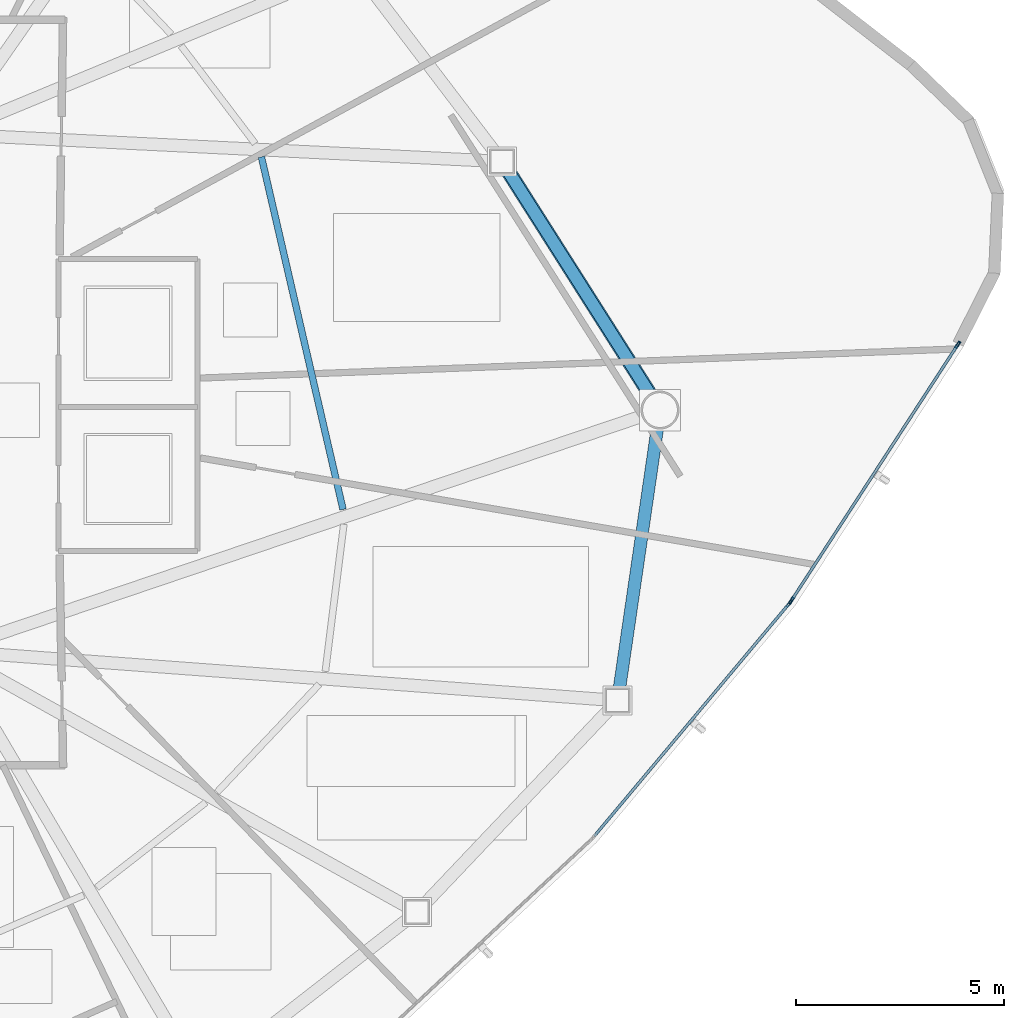
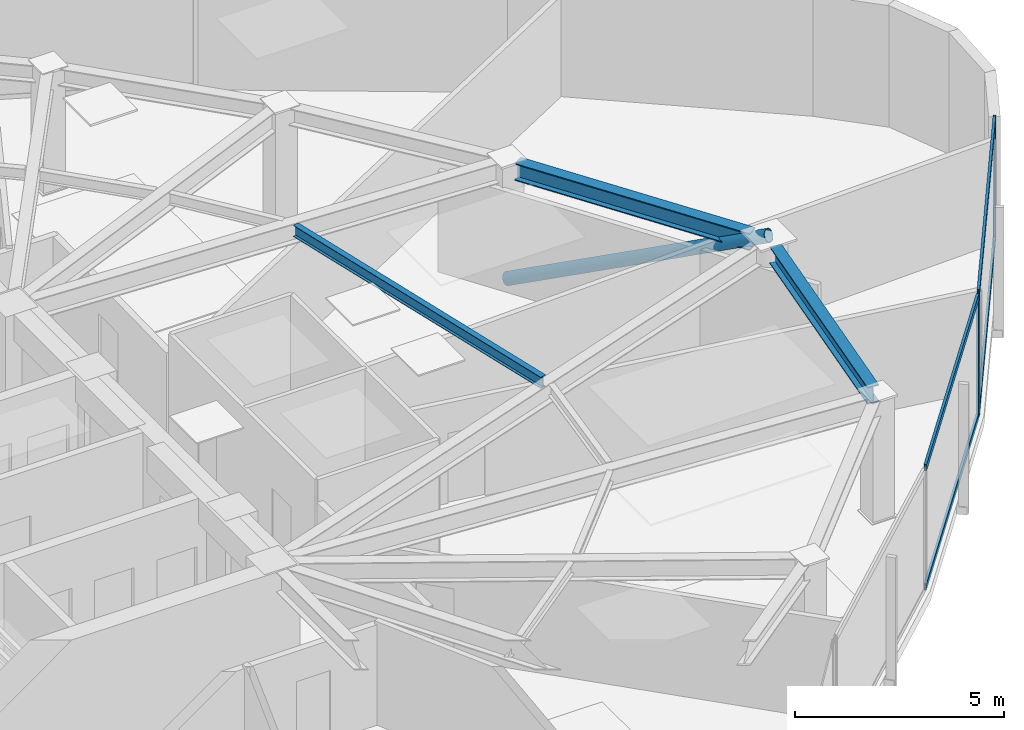
# One storey, part 6 of 17: 8 members, 3 beams, 2 elements without a shape of their own.
"""IFC4 building model written with IfcOpenShell, lengths in metres."""

from ifc_helpers import new_model, si_unit, direction, frame, origin, origin_2d, place, context, subcontext, project, spatial, hollow_rectangle, hollow_circle, i_section, extrude, source, transform, mapped, material, layer, layer_set, material_profile, profile_set, type_object, type_shapes, element, aggregate, save


model = new_model("IFC4")

# Units and contexts
model_context = context("Model", 3, precision=1e-05, world=origin(), true_north=direction((0.0, 1.0)))
body_context = subcontext(model_context, "Body", "Model", "MODEL_VIEW")
ifc_project = project(units=[si_unit("LENGTHUNIT", "METRE"), si_unit("AREAUNIT", "SQUARE_METRE"), si_unit("VOLUMEUNIT", "CUBIC_METRE"), si_unit("PLANEANGLEUNIT", "RADIAN"), si_unit("MASSUNIT", "GRAM", prefix="KILO")], contexts=[model_context])

# Site, building, storey
site_placement = place(None, origin())
site = spatial("IfcSite", under=ifc_project, at=site_placement, CompositionType="ELEMENT")
building_placement = place(site_placement, origin())
building = spatial("IfcBuilding", under=site, at=building_placement, Name="Tavelor Broadcast Tower", CompositionType="ELEMENT")
storey_placement = place(building_placement, frame((0.0, 0.0, 200.300048828125)))
storey = spatial("IfcBuildingStorey", under=building, at=storey_placement, Name="L48", CompositionType="ELEMENT", Elevation=200.300048828125)

# Beams
ifc_material_1 = material(Name="Steel S355", Category="steel")
ifc_material_profile_1 = material_profile(ifc_material_1, i_section(OverallWidth=0.159912109375, OverallDepth=0.330078125, WebThickness=0.007568359375, FlangeThickness=0.011474609375, at=origin_2d()), Name="IPE 330")
ifc_profile_set_1 = profile_set([ifc_material_profile_1], Name="Steel S355")
beam_type_1 = type_object("IfcBeamType", Name="Composite Floor Joist T4 IPE 330", PredefinedType="JOIST", material=ifc_profile_set_1)
beam_1_placement = place(storey_placement, frame((66.069091796875, 42.195068359375, 3.385009765625), z_axis=(-0.225617102792, 0.974216055569, 0.0), x_axis=(-0.974216055569, -0.225617102792, 0.0)))
element("IfcBeam", 1, at=beam_1_placement, inside=storey, type_object=beam_type_1, Name="L48 Secondary Composite Floor Joist 13", PredefinedType="JOIST", context=body_context, shape_type="SweptSolid", body=[
    extrude(i_section(OverallWidth=0.159912109375, OverallDepth=0.330078125, WebThickness=0.007568359375, FlangeThickness=0.011474609375, at=origin_2d()), origin(), (0.0, 0.0, 1.0), 8.683837890625),
])
ifc_material_profile_2 = material_profile(ifc_material_1, i_section(OverallWidth=0.300048828125, OverallDepth=0.5, WebThickness=0.014404296875, FlangeThickness=0.028076171875, at=origin_2d()), Name="HEB 500")
ifc_profile_set_2 = profile_set([ifc_material_profile_2], Name="Steel S355")
beam_type_2 = type_object("IfcBeamType", Name="Perimeter Spandrel Beam T4 HEB 500", PredefinedType="SPANDREL", material=ifc_profile_set_2)
beam_2_placement = place(storey_placement, frame((72.700927734375, 37.892333984375, 3.300048828125), z_axis=(0.144298223799, 0.989534245293, 0.0), x_axis=(-0.989534245293, 0.144298223799, 0.0)))
element("IfcBeam", 2, at=beam_2_placement, inside=storey, type_object=beam_type_2, Name="L48 Framed-Tube Ring Spandrel 12", PredefinedType="SPANDREL", context=body_context, shape_type="SweptSolid", body=[
    extrude(i_section(OverallWidth=0.300048828125, OverallDepth=0.5, WebThickness=0.014404296875, FlangeThickness=0.028076171875, at=origin_2d()), origin(), (0.0, 0.0, 1.0), 6.3193359375),
])
beam_3_placement = place(storey_placement, frame((73.440673828125, 44.94970703125, 3.300048828125), z_axis=(-0.536287336864, 0.844035480486, 0.0), x_axis=(-0.844035480486, -0.536287336864, 0.0)))
element("IfcBeam", 3, at=beam_3_placement, inside=storey, type_object=beam_type_2, Name="L48 Framed-Tube Ring Spandrel 13", PredefinedType="SPANDREL", context=body_context, shape_type="SweptSolid", body=[
    extrude(i_section(OverallWidth=0.300048828125, OverallDepth=0.5, WebThickness=0.014404296875, FlangeThickness=0.028076171875, at=origin_2d()), origin(), (0.0, 0.0, 1.0), 6.340087890625),
])

# Member
ifc_material_profile_3 = material_profile(ifc_material_1, hollow_circle(Radius=0.177734375, WallThickness=0.01611328125, at=origin_2d()), Name="CHS 355.6x16")
ifc_profile_set_3 = profile_set([ifc_material_profile_3], Name="Steel S355")
member_type_1 = type_object("IfcMemberType", Name="Perimeter Tube Brace T4 CHS 355.6x16", PredefinedType="BRACE", material=ifc_profile_set_3)
member_1_placement = place(storey_placement, frame((69.885986328125, 50.544189453125, 0.0), z_axis=(0.479238755177, -0.754205232397, 0.448892729904), x_axis=(0.844021198089, 0.536309814544, 0.0)))
element("IfcMember", 4, at=member_1_placement, inside=storey, type_object=member_type_1, Name="L48 Corner Tube Diagonal Brace 1", PredefinedType="BRACE", context=body_context, shape_type="SweptSolid", body=[
    extrude(hollow_circle(Radius=0.177734375, WallThickness=0.01611328125, at=origin_2d()), origin(), (0.0, 0.0, 1.0), 7.908447265625),
])

# Curtain wall, member
ifc_material_2 = material(Name="Architectural Anodized Aluminium", Category="aluminium")
ifc_layer = layer(ifc_material_2, 0.18994140625)
ifc_layer_set = layer_set([ifc_layer], Name="Architectural Anodized Aluminium")
curtain_wall_type = type_object("IfcCurtainWallType", Name="Tower Mid-Zone Acoustic Curtain Wall CW03", PredefinedType="NOTDEFINED", material=ifc_layer_set)
curtain_wall_1_placement = place(storey_placement, origin())
curtain_wall_1 = element("IfcCurtainWall", 5, at=curtain_wall_1_placement, inside=storey, type_object=curtain_wall_type, Name="L48 Curtain Wall CW03 Run 523", PredefinedType="NOTDEFINED")
ifc_material_profile_4 = material_profile(ifc_material_2, hollow_rectangle(XDim=0.068115234375, YDim=0.18994140625, WallThickness=0.02197265625, at=origin_2d()), Name="RHS 68x190x22")
ifc_profile_set_4 = profile_set([ifc_material_profile_4], Name="Architectural Anodized Aluminium")
member_type_2 = type_object("IfcMemberType", Name="CW03 Extruded Aluminium Mullion 68x190", PredefinedType="MULLION", material=ifc_profile_set_4)
shared_shape_1 = source(origin(), body_context, "Body", "SweptSolid", [
    extrude(hollow_rectangle(XDim=0.068115234375, YDim=0.18994140625, WallThickness=0.02197265625, at=origin_2d()), origin(), (0.0, 0.0, 1.0), 3.550048828125),
])
type_shapes(member_type_2, [shared_shape_1])
member_2_placement = place(storey_placement, frame((76.77099609375, 39.92919921875, 0.0), z_axis=(0.0, 0.0, 1.0), x_axis=(-0.766333491341, 0.642442978052, 0.0)))
member_2 = element("IfcMember", 6, at=member_2_placement, type_object=member_type_2, Name="CW03 mullion 2", PredefinedType="MULLION", context=body_context, shape_type="MappedRepresentation", body=[
    mapped(shared_shape_1, transform((0.0, 0.0, 0.0), scale=1.0)),
])

# Curtain wall, members
curtain_wall_2_placement = place(storey_placement, origin())
curtain_wall_2 = element("IfcCurtainWall", 7, at=curtain_wall_2_placement, inside=storey, type_object=curtain_wall_type, Name="L48 Curtain Wall CW03 Run 524", PredefinedType="NOTDEFINED")
member_3_placement = place(storey_placement, frame((76.829345703125, 40.0078125, 0.0), z_axis=(0.0, 0.0, 1.0), x_axis=(-0.838446708471, 0.544983593381, 0.0)))
member_3 = element("IfcMember", 8, at=member_3_placement, type_object=member_type_2, Name="CW03 mullion 1", PredefinedType="MULLION", context=body_context, shape_type="MappedRepresentation", body=[
    mapped(shared_shape_1, transform((0.0, 0.0, 0.0), scale=1.0)),
])
member_4_placement = place(storey_placement, frame((80.81884765625, 46.14599609375, 0.0), z_axis=(0.0, 0.0, 1.0), x_axis=(-0.838446708471, 0.544983593381, 0.0)))
member_4 = element("IfcMember", 9, at=member_4_placement, type_object=member_type_2, Name="CW03 mullion 2", PredefinedType="MULLION", context=body_context, shape_type="MappedRepresentation", body=[
    mapped(shared_shape_1, transform((0.0, 0.0, 0.0), scale=1.0)),
])

# Member
ifc_material_profile_5 = material_profile(ifc_material_2, hollow_rectangle(XDim=0.068115234375, YDim=0.18994140625, WallThickness=0.02197265625, at=origin_2d()), Name="RHS 68x190x22")
ifc_profile_set_5 = profile_set([ifc_material_profile_5], Name="Architectural Anodized Aluminium")
member_type_3 = type_object("IfcMemberType", Name="CW03 Extruded Aluminium Transom 68x190", PredefinedType="USERDEFINED", material=ifc_profile_set_5)
shared_shape_2 = source(origin(), body_context, "Body", "SweptSolid", [
    extrude(hollow_rectangle(XDim=0.068115234375, YDim=0.18994140625, WallThickness=0.02197265625, at=origin_2d()), origin(), (0.0, 0.0, 1.0), 7.236572265625),
])
member_5_placement = place(storey_placement, frame((72.10009765625, 34.357421875, 0.033935546875), z_axis=(0.642448056432, 0.766329233937, 0.0), x_axis=(-0.766329233937, 0.642448056432, 0.0)))
member_5 = element("IfcMember", 10, at=member_5_placement, type_object=member_type_3, Name="CW03 transom 1.1", ObjectType="TRANSOM", PredefinedType="USERDEFINED", context=body_context, shape_type="MappedRepresentation", body=[
    mapped(shared_shape_2, transform((0.0, 0.0, 0.0), scale=1.0)),
])

member_6_placement = place(storey_placement, frame((72.10009765625, 34.357421875, 3.515869140625), z_axis=(0.642448056432, 0.766329233937, 0.0), x_axis=(-0.766329233937, 0.642448056432, 0.0)))
member_6 = element("IfcMember", 11, at=member_6_placement, type_object=member_type_3, Name="CW03 transom 1.2", ObjectType="TRANSOM", PredefinedType="USERDEFINED", context=body_context, shape_type="MappedRepresentation", body=[
    mapped(shared_shape_2, transform((0.0, 0.0, 0.0), scale=1.0)),
])

aggregate(curtain_wall_1, [member_2, member_5, member_6])

shared_shape_3 = source(origin(), body_context, "Body", "SweptSolid", [
    extrude(hollow_rectangle(XDim=0.068115234375, YDim=0.18994140625, WallThickness=0.02197265625, at=origin_2d()), origin(), (0.0, 0.0, 1.0), 7.252685546875),
])
type_shapes(member_type_3, [shared_shape_2, shared_shape_3])
member_7_placement = place(storey_placement, frame((76.84765625, 40.036376953125, 0.033935546875), z_axis=(0.544983617829, 0.83844669258, 0.0), x_axis=(-0.83844669258, 0.544983617829, 0.0)))
member_7 = element("IfcMember", 12, at=member_7_placement, type_object=member_type_3, Name="CW03 transom 1.1", ObjectType="TRANSOM", PredefinedType="USERDEFINED", context=body_context, shape_type="MappedRepresentation", body=[
    mapped(shared_shape_3, transform((0.0, 0.0, 0.0), scale=1.0)),
])

member_8_placement = place(storey_placement, frame((76.84765625, 40.036376953125, 3.515869140625), z_axis=(0.544983617829, 0.83844669258, 0.0), x_axis=(-0.83844669258, 0.544983617829, 0.0)))
member_8 = element("IfcMember", 13, at=member_8_placement, type_object=member_type_3, Name="CW03 transom 1.2", ObjectType="TRANSOM", PredefinedType="USERDEFINED", context=body_context, shape_type="MappedRepresentation", body=[
    mapped(shared_shape_3, transform((0.0, 0.0, 0.0), scale=1.0)),
])

aggregate(curtain_wall_2, [member_3, member_4, member_7, member_8])

save(model, "model.ifc")
